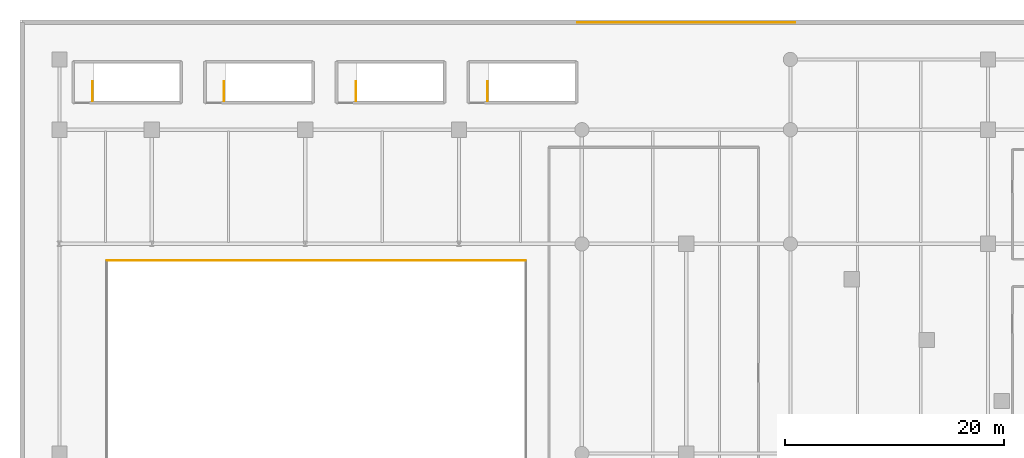
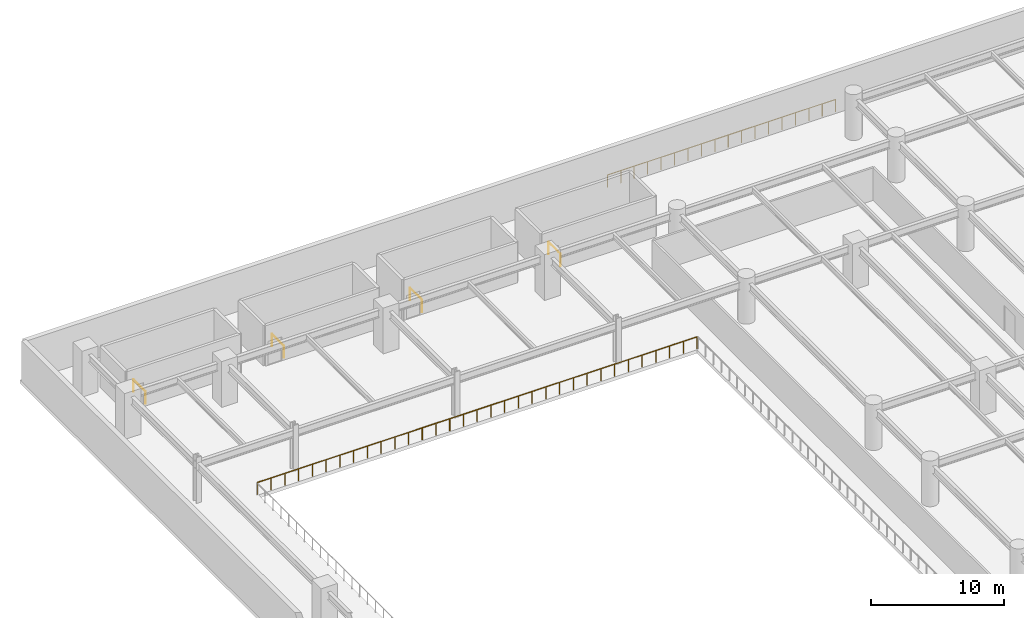
# One storey, part 20 of 20: 6 railings.
"""IFC4 building model written with IfcOpenShell, lengths in metres."""

import ifcopenshell
import ifcopenshell.guid

model = None  # the IFC model being written
_history = None  # IfcOwnerHistory: only IFC2X3 demands one
_inside = {}  # id of a spatial element -> (the spatial element, [elements in it])
_under = {}  # id of a project, library or spatial element -> (it, [spatial elements below it])
_declared = {}  # id of a project -> (the project, [libraries it declares])
_typed = {}  # id of a type object -> (the type object, [elements of that type])
_made_of = {}  # id of a material, layer set ... -> (it, [elements and type objects made of it])


def new_model(schema):
    """Start an empty IFC model of exactly this schema.

    Asked for "IFC4X3", IfcOpenShell would pick the latest addendum, in which some entities
    have other attributes; the version numbers below select the first issue.
    IFC2X3 requires an IfcOwnerHistory on every rooted entity: one is made here for all.
    """
    global model, _history
    if schema == "IFC4X3":
        model = ifcopenshell.file(schema_version=(4, 3, 0, 0))
    else:
        model = ifcopenshell.file(schema=schema)
    _inside.clear()
    _under.clear()
    _declared.clear()
    _typed.clear()
    _made_of.clear()
    _history = None
    if model.schema == "IFC2X3":
        org = make("IfcOrganization", Name="unknown")
        user = make(
            "IfcPersonAndOrganization",
            ThePerson=make("IfcPerson", FamilyName="unknown"),
            TheOrganization=org,
        )
        app = make(
            "IfcApplication",
            ApplicationDeveloper=org,
            Version="unknown",
            ApplicationFullName="unknown",
            ApplicationIdentifier="unknown",
        )
        _history = make(
            "IfcOwnerHistory",
            OwningUser=user,
            OwningApplication=app,
            ChangeAction="ADDED",
            CreationDate=0,
        )
    return model


def make(cls, **values):
    """One entity of the class cls with the attributes given. An attribute that is None is left unset."""
    return model.create_entity(
        cls, **{name: value for name, value in values.items() if value is not None}
    )


def rooted(cls, **values):
    """An entity with a GlobalId (a new one), such as an element, a storey or a relation."""
    return make(cls, GlobalId=ifcopenshell.guid.new(), OwnerHistory=_history, **values)


def si_unit(unit_type, name, prefix=None):
    """IfcSIUnit, for example si_unit("LENGTHUNIT", "METRE", prefix="MILLI")."""
    return make("IfcSIUnit", UnitType=unit_type, Prefix=prefix, Name=name)


def assignment(units):
    """IfcUnitAssignment: the units of a project."""
    return None if units is None else make("IfcUnitAssignment", Units=units)


def point(xyz):
    """IfcCartesianPoint."""
    return None if xyz is None else make("IfcCartesianPoint", Coordinates=xyz)


def direction(xyz):
    """IfcDirection."""
    return None if xyz is None else make("IfcDirection", DirectionRatios=xyz)


def frame(location, z_axis=None, x_axis=None):
    """IfcAxis2Placement3D, a coordinate frame: its origin and axes. An axis left out is left unset."""
    return make(
        "IfcAxis2Placement3D",
        Location=point(location),
        Axis=direction(z_axis),
        RefDirection=direction(x_axis),
    )


def frame_2d(location, x_axis=None):
    """IfcAxis2Placement2D, a coordinate frame in the plane: its origin and x axis."""
    return make(
        "IfcAxis2Placement2D", Location=point(location), RefDirection=direction(x_axis)
    )


def origin():
    """The frame at (0, 0, 0) with its axes left unset."""
    return frame((0.0, 0.0, 0.0))


def origin_2d():
    """The frame at (0, 0) in the plane with its x axis left unset."""
    return frame_2d((0.0, 0.0))


def place(relative_to, where):
    """IfcLocalPlacement: puts the frame where relative to a parent placement (None: the world)."""
    return make(
        "IfcLocalPlacement", PlacementRelTo=relative_to, RelativePlacement=where
    )


def context(
    kind, dimensions, precision=None, world=None, true_north=None, identifier=None
):
    """IfcGeometricRepresentationContext, for example the 3D "Model" context."""
    return make(
        "IfcGeometricRepresentationContext",
        ContextIdentifier=identifier,
        ContextType=kind,
        CoordinateSpaceDimension=dimensions,
        Precision=precision,
        WorldCoordinateSystem=world,
        TrueNorth=true_north,
    )


def subcontext(parent, identifier, kind, view, scale=None):
    """IfcGeometricRepresentationSubContext, for example "Body" below "Model"."""
    return make(
        "IfcGeometricRepresentationSubContext",
        ContextIdentifier=identifier,
        ContextType=kind,
        ParentContext=parent,
        TargetScale=scale,
        TargetView=view,
    )


def project(units=None, contexts=None):
    """IfcProject with its units and contexts."""
    return rooted(
        "IfcProject",
        Name="project",
        RepresentationContexts=contexts,
        UnitsInContext=assignment(units),
    )


def spatial(cls, under=None, at=None, **own):
    """A site, building, storey or space (cls), placed at a placement, below another one or the project."""
    s = rooted(cls, ObjectPlacement=at, **own)
    if under is not None:
        _under.setdefault(under.id(), (under, []))[1].append(s)
    return s


def profile(cls, at=None, kind="AREA", **sizes):
    """A parametric profile (cls). Its sizes go by their IFC names, for example OverallWidth=200.0."""
    return make(cls, ProfileType=kind, Position=at, **sizes)


def circle(**sizes):
    """IfcCircleProfileDef."""
    return profile("IfcCircleProfileDef", **sizes)


def extrude(swept, where, along, depth):
    """IfcExtrudedAreaSolid: the profile swept, set in the frame where, extruded along a direction by depth."""
    return make(
        "IfcExtrudedAreaSolid",
        SweptArea=swept,
        Position=where,
        ExtrudedDirection=direction(along),
        Depth=depth,
    )


def shape(context_of_items, identifier, shape_type, items):
    """IfcShapeRepresentation: the items that make up one representation, for example the "Body"."""
    return make(
        "IfcShapeRepresentation",
        ContextOfItems=context_of_items,
        RepresentationIdentifier=identifier,
        RepresentationType=shape_type,
        Items=items,
    )


def material(Name=None, Category=None):
    """IfcMaterial."""
    return make("IfcMaterial", Name=Name, Category=Category)


def made_of(thing, what):
    """Note that an element or type object is made of a material, layer set ...; save() writes the relation."""
    if what is not None:
        _made_of.setdefault(what.id(), (what, []))[1].append(thing)
    return thing


def type_object(cls, material=None, **own):
    """A type object (cls), such as IfcWallType, which elements share."""
    return made_of(rooted(cls, **own), material)


def element(
    cls,
    number,
    at=None,
    inside=None,
    cuts=None,
    type_object=None,
    material=None,
    context=None,
    identifier="Body",
    shape_type=None,
    held_by="IfcProductDefinitionShape",
    body=None,
    shapes=None,
    **own,
):
    """One element of the class cls, such as IfcWall. Its Tag is "e" and its number.

    at: its placement. inside: the storey or other place that contains it. cuts: it is an
    opening in that element (IfcRelVoidsElement). A single representation is given by context,
    identifier, shape_type and body (its items); several are given by shapes. held_by: the class
    of the entity that holds the representations. save() writes the other relations.
    """
    e = rooted(cls, Tag="e%d" % number, ObjectPlacement=at, **own)
    if body is not None:
        shapes = [shape(context, identifier, shape_type, body)]
    if shapes is not None:
        e.Representation = make(held_by, Representations=shapes)
    if inside is not None:
        _inside.setdefault(inside.id(), (inside, []))[1].append(e)
    if cuts is not None:
        rooted(
            "IfcRelVoidsElement", RelatingBuildingElement=cuts, RelatedOpeningElement=e
        )
    if type_object is not None:
        _typed.setdefault(type_object.id(), (type_object, []))[1].append(e)
    return made_of(e, material)


def aggregate(whole, parts):
    """IfcRelAggregates: a whole, such as a stair, and the parts it consists of."""
    return rooted("IfcRelAggregates", RelatingObject=whole, RelatedObjects=parts)


def save(model, path):
    """Write the relations noted so far, then the file.

    IfcRelAggregates (storeys below a building ...), IfcRelContainedInSpatialStructure (elements
    in a storey), IfcRelDefinesByType, IfcRelAssociatesMaterial and IfcRelDeclares: one each for
    every whole, place, type object, material and project.
    """
    for whole, parts in _under.values():
        aggregate(whole, parts)
    for where, things in _inside.values():
        rooted(
            "IfcRelContainedInSpatialStructure",
            RelatedElements=things,
            RelatingStructure=where,
        )
    for kind, things in _typed.values():
        rooted("IfcRelDefinesByType", RelatedObjects=things, RelatingType=kind)
    for what, things in _made_of.values():
        rooted("IfcRelAssociatesMaterial", RelatedObjects=things, RelatingMaterial=what)
    for by, libraries in _declared.values():
        rooted("IfcRelDeclares", RelatingContext=by, RelatedDefinitions=libraries)
    model.write(path)


model = new_model("IFC4")

# Units and contexts
model_context = context("Model", 3, precision=1e-05, world=origin(), true_north=direction((0.0, 1.0)))
body_context = subcontext(model_context, "Body", "Model", "MODEL_VIEW")
ifc_project = project(units=[si_unit("LENGTHUNIT", "METRE"), si_unit("AREAUNIT", "SQUARE_METRE"), si_unit("VOLUMEUNIT", "CUBIC_METRE"), si_unit("PLANEANGLEUNIT", "RADIAN"), si_unit("MASSUNIT", "GRAM", prefix="KILO")], contexts=[model_context])

# Site, building, storey
site_placement = place(None, origin())
site = spatial("IfcSite", under=ifc_project, at=site_placement, CompositionType="ELEMENT")
building_placement = place(site_placement, origin())
building = spatial("IfcBuilding", under=site, at=building_placement, Name="Narakoshi Arena Tower", CompositionType="ELEMENT")
storey_placement = place(building_placement, frame((0.0, 0.0, 17.39990234375)))
storey = spatial("IfcBuildingStorey", under=building, at=storey_placement, Name="L04", CompositionType="ELEMENT", Elevation=17.39990234375)

# Railings
ifc_material_1 = material(Name="Clear low-iron laminated structural glass", Category="glass")
railing_type_1 = type_object("IfcRailingType", Name="RL-BAL-1100", PredefinedType="BALUSTRADE", material=ifc_material_1)
for number, where, name in (
    (1, (6.60009765625, 88.60009765625, 0.0), "L04 AST5 top well guard 1"),
    (2, (18.60009765625, 88.60009765625, 0.0), "L04 AST6 top well guard 1"),
    (3, (30.60009765625, 88.60009765625, 0.0), "L04 AST7 top well guard 1"),
    (4, (42.60009765625, 88.60009765625, 0.0), "L04 AST8 top well guard 1"),
):
    element("IfcRailing", number, at=place(storey_placement, frame(where)), inside=storey, type_object=railing_type_1, Name=name, PredefinedType="BALUSTRADE", context=body_context, shape_type="SweptSolid", body=[
        extrude(circle(Radius=0.02392578125, at=origin_2d()), frame((0.0, 0.0, 1.09619140625), z_axis=(0.0, 1.0, 0.0), x_axis=(-1.0, 0.0, 0.0)), (0.0, 0.0, 1.0), 1.7998046875),
        extrude(circle(Radius=0.02099609375, at=origin_2d()), origin(), (0.0, 0.0, 1.0), 1.072021484375),
        extrude(circle(Radius=0.02099609375, at=origin_2d()), frame((0.0, 1.7998046875, 0.0)), (0.0, 0.0, 1.0), 1.072021484375),
    ])
railing_1_placement = place(storey_placement, frame((46.06005859375, 74.10009765625, 0.0)))
element("IfcRailing", 5, at=railing_1_placement, inside=storey, type_object=railing_type_1, Name="L04 Arena Bowl Tier Balustrade 3", PredefinedType="BALUSTRADE", context=body_context, shape_type="SweptSolid", body=[
    extrude(circle(Radius=0.02392578125, at=origin_2d()), frame((0.0, 0.0, 1.09619140625), z_axis=(-1.0, 0.0, 0.0), x_axis=(0.0, -1.0, 0.0)), (0.0, 0.0, 1.0), 38.1201171875),
    extrude(circle(Radius=0.02099609375, at=origin_2d()), origin(), (0.0, 0.0, 1.0), 1.072021484375),
    extrude(circle(Radius=0.02099609375, at=origin_2d()), frame((-1.191162109375, 0.0, 0.0)), (0.0, 0.0, 1.0), 1.072021484375),
    extrude(circle(Radius=0.02099609375, at=origin_2d()), frame((-2.382568359375, 0.0, 0.0)), (0.0, 0.0, 1.0), 1.072021484375),
    extrude(circle(Radius=0.02099609375, at=origin_2d()), frame((-3.57373046875, 0.0, 0.0)), (0.0, 0.0, 1.0), 1.072021484375),
    extrude(circle(Radius=0.02099609375, at=origin_2d()), frame((-4.76513671875, 0.0, 0.0)), (0.0, 0.0, 1.0), 1.072021484375),
    extrude(circle(Radius=0.02099609375, at=origin_2d()), frame((-5.956298828125, 0.0, 0.0)), (0.0, 0.0, 1.0), 1.072021484375),
    extrude(circle(Radius=0.02099609375, at=origin_2d()), frame((-7.1474609375, 0.0, 0.0)), (0.0, 0.0, 1.0), 1.072021484375),
    extrude(circle(Radius=0.02099609375, at=origin_2d()), frame((-8.3388671875, 0.0, 0.0)), (0.0, 0.0, 1.0), 1.072021484375),
    extrude(circle(Radius=0.02099609375, at=origin_2d()), frame((-9.530029296875, 0.0, 0.0)), (0.0, 0.0, 1.0), 1.072021484375),
    extrude(circle(Radius=0.02099609375, at=origin_2d()), frame((-10.72119140625, 0.0, 0.0)), (0.0, 0.0, 1.0), 1.072021484375),
    extrude(circle(Radius=0.02099609375, at=origin_2d()), frame((-11.91259765625, 0.0, 0.0)), (0.0, 0.0, 1.0), 1.072021484375),
    extrude(circle(Radius=0.02099609375, at=origin_2d()), frame((-13.103759765625, 0.0, 0.0)), (0.0, 0.0, 1.0), 1.072021484375),
    extrude(circle(Radius=0.02099609375, at=origin_2d()), frame((-14.294921875, 0.0, 0.0)), (0.0, 0.0, 1.0), 1.072021484375),
    extrude(circle(Radius=0.02099609375, at=origin_2d()), frame((-15.486328125, 0.0, 0.0)), (0.0, 0.0, 1.0), 1.072021484375),
    extrude(circle(Radius=0.02099609375, at=origin_2d()), frame((-16.677490234375, 0.0, 0.0)), (0.0, 0.0, 1.0), 1.072021484375),
    extrude(circle(Radius=0.02099609375, at=origin_2d()), frame((-17.868896484375, 0.0, 0.0)), (0.0, 0.0, 1.0), 1.072021484375),
    extrude(circle(Radius=0.02099609375, at=origin_2d()), frame((-19.06005859375, 0.0, 0.0)), (0.0, 0.0, 1.0), 1.072021484375),
    extrude(circle(Radius=0.02099609375, at=origin_2d()), frame((-20.251220703125, 0.0, 0.0)), (0.0, 0.0, 1.0), 1.072021484375),
    extrude(circle(Radius=0.02099609375, at=origin_2d()), frame((-21.442626953125, 0.0, 0.0)), (0.0, 0.0, 1.0), 1.072021484375),
    extrude(circle(Radius=0.02099609375, at=origin_2d()), frame((-22.6337890625, 0.0, 0.0)), (0.0, 0.0, 1.0), 1.072021484375),
    extrude(circle(Radius=0.02099609375, at=origin_2d()), frame((-23.8251953125, 0.0, 0.0)), (0.0, 0.0, 1.0), 1.072021484375),
    extrude(circle(Radius=0.02099609375, at=origin_2d()), frame((-25.016357421875, 0.0, 0.0)), (0.0, 0.0, 1.0), 1.072021484375),
    extrude(circle(Radius=0.02099609375, at=origin_2d()), frame((-26.20751953125, 0.0, 0.0)), (0.0, 0.0, 1.0), 1.072021484375),
    extrude(circle(Radius=0.02099609375, at=origin_2d()), frame((-27.39892578125, 0.0, 0.0)), (0.0, 0.0, 1.0), 1.072021484375),
    extrude(circle(Radius=0.02099609375, at=origin_2d()), frame((-28.590087890625, 0.0, 0.0)), (0.0, 0.0, 1.0), 1.072021484375),
    extrude(circle(Radius=0.02099609375, at=origin_2d()), frame((-29.78125, 0.0, 0.0)), (0.0, 0.0, 1.0), 1.072021484375),
    extrude(circle(Radius=0.02099609375, at=origin_2d()), frame((-30.97265625, 0.0, 0.0)), (0.0, 0.0, 1.0), 1.072021484375),
    extrude(circle(Radius=0.02099609375, at=origin_2d()), frame((-32.163818359375, 0.0, 0.0)), (0.0, 0.0, 1.0), 1.072021484375),
    extrude(circle(Radius=0.02099609375, at=origin_2d()), frame((-33.35498046875, 0.0, 0.0)), (0.0, 0.0, 1.0), 1.072021484375),
    extrude(circle(Radius=0.02099609375, at=origin_2d()), frame((-34.54638671875, 0.0, 0.0)), (0.0, 0.0, 1.0), 1.072021484375),
    extrude(circle(Radius=0.02099609375, at=origin_2d()), frame((-35.737548828125, 0.0, 0.0)), (0.0, 0.0, 1.0), 1.072021484375),
    extrude(circle(Radius=0.02099609375, at=origin_2d()), frame((-36.928955078125, 0.0, 0.0)), (0.0, 0.0, 1.0), 1.072021484375),
    extrude(circle(Radius=0.02099609375, at=origin_2d()), frame((-38.1201171875, 0.0, 0.0)), (0.0, 0.0, 1.0), 1.072021484375),
])
ifc_material_2 = material(Name="Brushed bronze stainless steel", Category="steel")
railing_type_2 = type_object("IfcRailingType", Name="RL-GRD-1150", PredefinedType="GUARDRAIL", material=ifc_material_2)
railing_2_placement = place(storey_placement, frame((50.800048828125, 95.780029296875, 0.0)))
element("IfcRailing", 6, at=railing_2_placement, inside=storey, type_object=railing_type_2, Name="L04 Concourse Portal Sill Guardrail PN", PredefinedType="GUARDRAIL", context=body_context, shape_type="SweptSolid", body=[
    extrude(circle(Radius=0.02392578125, at=origin_2d()), frame((0.0, 0.0, 1.1259765625), z_axis=(1.0, 0.0, 0.0), x_axis=(0.0, 1.0, 0.0)), (0.0, 0.0, 1.0), 19.800048828125),
    extrude(circle(Radius=0.02099609375, at=origin_2d()), origin(), (0.0, 0.0, 1.0), 1.101806640625),
    extrude(circle(Radius=0.02099609375, at=origin_2d()), frame((1.164794921875, 0.0, 0.0)), (0.0, 0.0, 1.0), 1.101806640625),
    extrude(circle(Radius=0.02099609375, at=origin_2d()), frame((2.329345703125, 0.0, 0.0)), (0.0, 0.0, 1.0), 1.101806640625),
    extrude(circle(Radius=0.02099609375, at=origin_2d()), frame((3.494140625, 0.0, 0.0)), (0.0, 0.0, 1.0), 1.101806640625),
    extrude(circle(Radius=0.02099609375, at=origin_2d()), frame((4.658935546875, 0.0, 0.0)), (0.0, 0.0, 1.0), 1.101806640625),
    extrude(circle(Radius=0.02099609375, at=origin_2d()), frame((5.823486328125, 0.0, 0.0)), (0.0, 0.0, 1.0), 1.101806640625),
    extrude(circle(Radius=0.02099609375, at=origin_2d()), frame((6.98828125, 0.0, 0.0)), (0.0, 0.0, 1.0), 1.101806640625),
    extrude(circle(Radius=0.02099609375, at=origin_2d()), frame((8.153076171875, 0.0, 0.0)), (0.0, 0.0, 1.0), 1.101806640625),
    extrude(circle(Radius=0.02099609375, at=origin_2d()), frame((9.317626953125, 0.0, 0.0)), (0.0, 0.0, 1.0), 1.101806640625),
    extrude(circle(Radius=0.02099609375, at=origin_2d()), frame((10.482421875, 0.0, 0.0)), (0.0, 0.0, 1.0), 1.101806640625),
    extrude(circle(Radius=0.02099609375, at=origin_2d()), frame((11.64697265625, 0.0, 0.0)), (0.0, 0.0, 1.0), 1.101806640625),
    extrude(circle(Radius=0.02099609375, at=origin_2d()), frame((12.811767578125, 0.0, 0.0)), (0.0, 0.0, 1.0), 1.101806640625),
    extrude(circle(Radius=0.02099609375, at=origin_2d()), frame((13.9765625, 0.0, 0.0)), (0.0, 0.0, 1.0), 1.101806640625),
    extrude(circle(Radius=0.02099609375, at=origin_2d()), frame((15.14111328125, 0.0, 0.0)), (0.0, 0.0, 1.0), 1.101806640625),
    extrude(circle(Radius=0.02099609375, at=origin_2d()), frame((16.305908203125, 0.0, 0.0)), (0.0, 0.0, 1.0), 1.101806640625),
    extrude(circle(Radius=0.02099609375, at=origin_2d()), frame((17.470703125, 0.0, 0.0)), (0.0, 0.0, 1.0), 1.101806640625),
    extrude(circle(Radius=0.02099609375, at=origin_2d()), frame((18.63525390625, 0.0, 0.0)), (0.0, 0.0, 1.0), 1.101806640625),
    extrude(circle(Radius=0.02099609375, at=origin_2d()), frame((19.800048828125, 0.0, 0.0)), (0.0, 0.0, 1.0), 1.101806640625),
])

save(model, "model.ifc")
